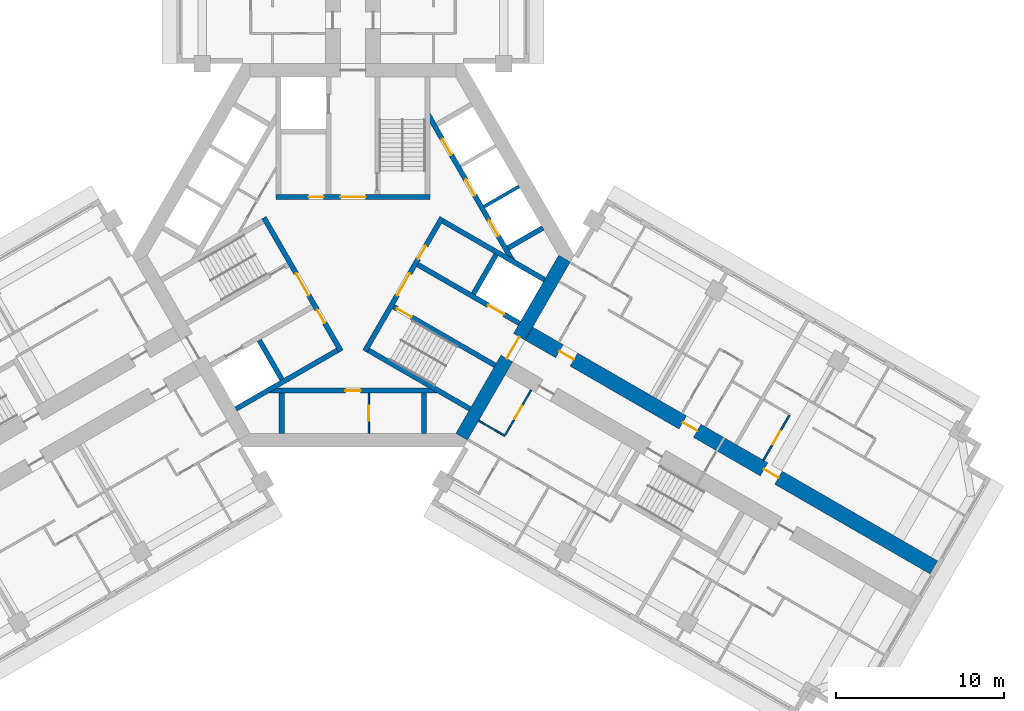
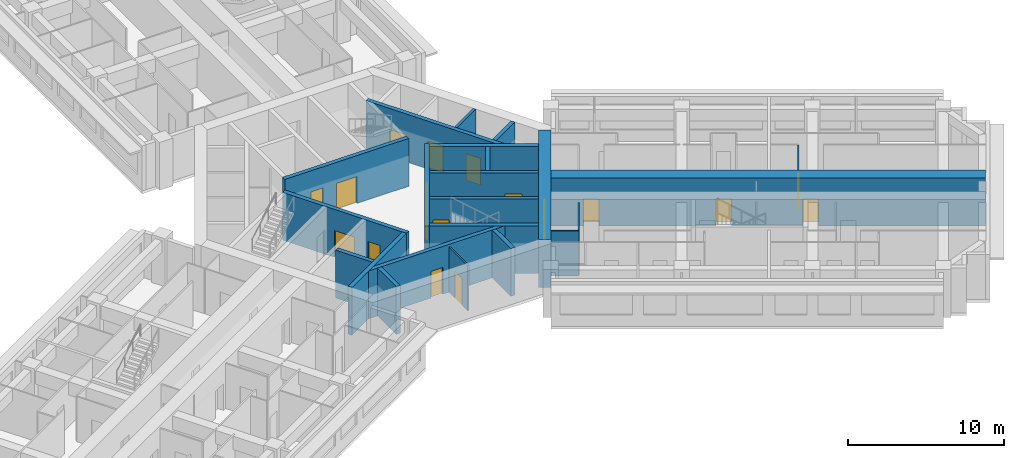
# One storey, part 6 of 12: 22 walls, 19 doors, 19 openings.
"""IFC4 building model written with IfcOpenShell, lengths in metres."""

import ifcopenshell
import ifcopenshell.guid

model = None  # the IFC model being written
_history = None  # IfcOwnerHistory: only IFC2X3 demands one
_inside = {}  # id of a spatial element -> (the spatial element, [elements in it])
_under = {}  # id of a project, library or spatial element -> (it, [spatial elements below it])
_declared = {}  # id of a project -> (the project, [libraries it declares])
_typed = {}  # id of a type object -> (the type object, [elements of that type])
_made_of = {}  # id of a material, layer set ... -> (it, [elements and type objects made of it])


def new_model(schema):
    """Start an empty IFC model of exactly this schema.

    Asked for "IFC4X3", IfcOpenShell would pick the latest addendum, in which some entities
    have other attributes; the version numbers below select the first issue.
    IFC2X3 requires an IfcOwnerHistory on every rooted entity: one is made here for all.
    """
    global model, _history
    if schema == "IFC4X3":
        model = ifcopenshell.file(schema_version=(4, 3, 0, 0))
    else:
        model = ifcopenshell.file(schema=schema)
    _inside.clear()
    _under.clear()
    _declared.clear()
    _typed.clear()
    _made_of.clear()
    _history = None
    if model.schema == "IFC2X3":
        org = make("IfcOrganization", Name="unknown")
        user = make(
            "IfcPersonAndOrganization",
            ThePerson=make("IfcPerson", FamilyName="unknown"),
            TheOrganization=org,
        )
        app = make(
            "IfcApplication",
            ApplicationDeveloper=org,
            Version="unknown",
            ApplicationFullName="unknown",
            ApplicationIdentifier="unknown",
        )
        _history = make(
            "IfcOwnerHistory",
            OwningUser=user,
            OwningApplication=app,
            ChangeAction="ADDED",
            CreationDate=0,
        )
    return model


def make(cls, **values):
    """One entity of the class cls with the attributes given. An attribute that is None is left unset."""
    return model.create_entity(
        cls, **{name: value for name, value in values.items() if value is not None}
    )


def rooted(cls, **values):
    """An entity with a GlobalId (a new one), such as an element, a storey or a relation."""
    return make(cls, GlobalId=ifcopenshell.guid.new(), OwnerHistory=_history, **values)


def si_unit(unit_type, name, prefix=None):
    """IfcSIUnit, for example si_unit("LENGTHUNIT", "METRE", prefix="MILLI")."""
    return make("IfcSIUnit", UnitType=unit_type, Prefix=prefix, Name=name)


def assignment(units):
    """IfcUnitAssignment: the units of a project."""
    return None if units is None else make("IfcUnitAssignment", Units=units)


def point(xyz):
    """IfcCartesianPoint."""
    return None if xyz is None else make("IfcCartesianPoint", Coordinates=xyz)


def direction(xyz):
    """IfcDirection."""
    return None if xyz is None else make("IfcDirection", DirectionRatios=xyz)


def frame(location, z_axis=None, x_axis=None):
    """IfcAxis2Placement3D, a coordinate frame: its origin and axes. An axis left out is left unset."""
    return make(
        "IfcAxis2Placement3D",
        Location=point(location),
        Axis=direction(z_axis),
        RefDirection=direction(x_axis),
    )


def frame_2d(location, x_axis=None):
    """IfcAxis2Placement2D, a coordinate frame in the plane: its origin and x axis."""
    return make(
        "IfcAxis2Placement2D", Location=point(location), RefDirection=direction(x_axis)
    )


def origin():
    """The frame at (0, 0, 0) with its axes left unset."""
    return frame((0.0, 0.0, 0.0))


def place(relative_to, where):
    """IfcLocalPlacement: puts the frame where relative to a parent placement (None: the world)."""
    return make(
        "IfcLocalPlacement", PlacementRelTo=relative_to, RelativePlacement=where
    )


def context(
    kind, dimensions, precision=None, world=None, true_north=None, identifier=None
):
    """IfcGeometricRepresentationContext, for example the 3D "Model" context."""
    return make(
        "IfcGeometricRepresentationContext",
        ContextIdentifier=identifier,
        ContextType=kind,
        CoordinateSpaceDimension=dimensions,
        Precision=precision,
        WorldCoordinateSystem=world,
        TrueNorth=true_north,
    )


def subcontext(parent, identifier, kind, view, scale=None):
    """IfcGeometricRepresentationSubContext, for example "Body" below "Model"."""
    return make(
        "IfcGeometricRepresentationSubContext",
        ContextIdentifier=identifier,
        ContextType=kind,
        ParentContext=parent,
        TargetScale=scale,
        TargetView=view,
    )


def project(units=None, contexts=None):
    """IfcProject with its units and contexts."""
    return rooted(
        "IfcProject",
        Name="project",
        RepresentationContexts=contexts,
        UnitsInContext=assignment(units),
    )


def spatial(cls, under=None, at=None, **own):
    """A site, building, storey or space (cls), placed at a placement, below another one or the project."""
    s = rooted(cls, ObjectPlacement=at, **own)
    if under is not None:
        _under.setdefault(under.id(), (under, []))[1].append(s)
    return s


def profile(cls, at=None, kind="AREA", **sizes):
    """A parametric profile (cls). Its sizes go by their IFC names, for example OverallWidth=200.0."""
    return make(cls, ProfileType=kind, Position=at, **sizes)


def rectangle(**sizes):
    """IfcRectangleProfileDef."""
    return profile("IfcRectangleProfileDef", **sizes)


def extrude(swept, where, along, depth):
    """IfcExtrudedAreaSolid: the profile swept, set in the frame where, extruded along a direction by depth."""
    return make(
        "IfcExtrudedAreaSolid",
        SweptArea=swept,
        Position=where,
        ExtrudedDirection=direction(along),
        Depth=depth,
    )


def shape(context_of_items, identifier, shape_type, items):
    """IfcShapeRepresentation: the items that make up one representation, for example the "Body"."""
    return make(
        "IfcShapeRepresentation",
        ContextOfItems=context_of_items,
        RepresentationIdentifier=identifier,
        RepresentationType=shape_type,
        Items=items,
    )


def material(Name=None, Category=None):
    """IfcMaterial."""
    return make("IfcMaterial", Name=Name, Category=Category)


def layer(
    of_material, thickness, ventilated=None, Name=None, Category=None, Priority=None
):
    """IfcMaterialLayer: one layer of a wall or slab, of a material (None: an air gap)."""
    return make(
        "IfcMaterialLayer",
        Material=of_material,
        LayerThickness=thickness,
        IsVentilated=ventilated,
        Name=Name,
        Category=Category,
        Priority=Priority,
    )


def layer_set(layers, Name=None):
    """IfcMaterialLayerSet."""
    return make("IfcMaterialLayerSet", MaterialLayers=layers, LayerSetName=Name)


def made_of(thing, what):
    """Note that an element or type object is made of a material, layer set ...; save() writes the relation."""
    if what is not None:
        _made_of.setdefault(what.id(), (what, []))[1].append(thing)
    return thing


def type_object(cls, material=None, **own):
    """A type object (cls), such as IfcWallType, which elements share."""
    return made_of(rooted(cls, **own), material)


def element(
    cls,
    number,
    at=None,
    inside=None,
    cuts=None,
    type_object=None,
    material=None,
    context=None,
    identifier="Body",
    shape_type=None,
    held_by="IfcProductDefinitionShape",
    body=None,
    shapes=None,
    **own,
):
    """One element of the class cls, such as IfcWall. Its Tag is "e" and its number.

    at: its placement. inside: the storey or other place that contains it. cuts: it is an
    opening in that element (IfcRelVoidsElement). A single representation is given by context,
    identifier, shape_type and body (its items); several are given by shapes. held_by: the class
    of the entity that holds the representations. save() writes the other relations.
    """
    e = rooted(cls, Tag="e%d" % number, ObjectPlacement=at, **own)
    if body is not None:
        shapes = [shape(context, identifier, shape_type, body)]
    if shapes is not None:
        e.Representation = make(held_by, Representations=shapes)
    if inside is not None:
        _inside.setdefault(inside.id(), (inside, []))[1].append(e)
    if cuts is not None:
        rooted(
            "IfcRelVoidsElement", RelatingBuildingElement=cuts, RelatedOpeningElement=e
        )
    if type_object is not None:
        _typed.setdefault(type_object.id(), (type_object, []))[1].append(e)
    return made_of(e, material)


def fill(opening, filler):
    """IfcRelFillsElement: the door or window that sits in an opening."""
    return rooted(
        "IfcRelFillsElement",
        RelatingOpeningElement=opening,
        RelatedBuildingElement=filler,
    )


def aggregate(whole, parts):
    """IfcRelAggregates: a whole, such as a stair, and the parts it consists of."""
    return rooted("IfcRelAggregates", RelatingObject=whole, RelatedObjects=parts)


def save(model, path):
    """Write the relations noted so far, then the file.

    IfcRelAggregates (storeys below a building ...), IfcRelContainedInSpatialStructure (elements
    in a storey), IfcRelDefinesByType, IfcRelAssociatesMaterial and IfcRelDeclares: one each for
    every whole, place, type object, material and project.
    """
    for whole, parts in _under.values():
        aggregate(whole, parts)
    for where, things in _inside.values():
        rooted(
            "IfcRelContainedInSpatialStructure",
            RelatedElements=things,
            RelatingStructure=where,
        )
    for kind, things in _typed.values():
        rooted("IfcRelDefinesByType", RelatedObjects=things, RelatingType=kind)
    for what, things in _made_of.values():
        rooted("IfcRelAssociatesMaterial", RelatedObjects=things, RelatingMaterial=what)
    for by, libraries in _declared.values():
        rooted("IfcRelDeclares", RelatingContext=by, RelatedDefinitions=libraries)
    model.write(path)


model = new_model("IFC4")

# Units and contexts
model_context = context("Model", 3, precision=1e-05, world=origin(), true_north=direction((0.0, 1.0)))
body_context = subcontext(model_context, "Body", "Model", "MODEL_VIEW")
ifc_project = project(units=[si_unit("LENGTHUNIT", "METRE"), si_unit("AREAUNIT", "SQUARE_METRE"), si_unit("VOLUMEUNIT", "CUBIC_METRE"), si_unit("PLANEANGLEUNIT", "RADIAN"), si_unit("MASSUNIT", "GRAM", prefix="KILO")], contexts=[model_context])

# Site, building, storey
site_placement = place(None, origin())
site = spatial("IfcSite", under=ifc_project, at=site_placement, CompositionType="ELEMENT")
building_placement = place(site_placement, origin())
building = spatial("IfcBuilding", under=site, at=building_placement, Name="Impinga Residences", CompositionType="ELEMENT")
storey_placement = place(building_placement, frame((0.0, 0.0, 169.75)))
storey = spatial("IfcBuildingStorey", under=building, at=storey_placement, Name="L42", CompositionType="ELEMENT", Elevation=169.75)

# Wall, openings, doors
ifc_material_1 = material(Name="Concrete C60/75", Category="concrete")
ifc_layer_1 = layer(ifc_material_1, 0.89990234375)
ifc_layer_set_1 = layer_set([ifc_layer_1], Name="Concrete C60/75")
wall_type_1 = type_object("IfcWallType", Name="BW2 corridor buttress wall, L24 to L44 900", PredefinedType="SHEAR", material=ifc_layer_set_1)
wall_1_placement = place(storey_placement, frame((10.153564453125, -4.4765625, 0.0), z_axis=(0.0, 0.0, 1.0), x_axis=(0.866027127636, -0.49999701419, 0.0)))
wall_1 = element("IfcWall", 1, at=wall_1_placement, inside=storey, type_object=wall_type_1, Name="Corridor wall BW2 EC L42", PredefinedType="SHEAR", context=body_context, shape_type="SweptSolid", body=[
    extrude(rectangle(XDim=28.300048828125, YDim=0.89990234375, at=frame_2d((14.14990234375, 0.0))), origin(), (0.0, 0.0, 1.0), 3.75),
])
opening_1_placement = place(wall_1_placement, frame((2.5, 0.0, 0.0)))
opening_1 = element("IfcOpeningElement", 2, at=opening_1_placement, cuts=wall_1, Name="Opening D1", PredefinedType="OPENING", context=body_context, shape_type="SweptSolid", body=[
    extrude(rectangle(XDim=1.0, YDim=2.10009765625, at=frame_2d((0.5, 1.050048828125))), frame((0.0, 0.4599609375, 0.0), z_axis=(0.0, -1.0, 0.0), x_axis=(1.0, 0.0, 0.0)), (0.0, 0.0, 1.0), 0.919921875),
])
opening_2_placement = place(wall_1_placement, frame((11.0, 0.0, 0.0)))
opening_2 = element("IfcOpeningElement", 3, at=opening_2_placement, cuts=wall_1, Name="Opening D1", PredefinedType="OPENING", context=body_context, shape_type="SweptSolid", body=[
    extrude(rectangle(XDim=1.0, YDim=2.10009765625, at=frame_2d((0.5, 1.050048828125))), frame((0.0, 0.4599609375, 0.0), z_axis=(0.0, -1.0, 0.0), x_axis=(1.0, 0.0, 0.0)), (0.0, 0.0, 1.0), 0.919921875),
])
opening_3_placement = place(wall_1_placement, frame((16.60009765625, 0.0, 0.0)))
opening_3 = element("IfcOpeningElement", 4, at=opening_3_placement, cuts=wall_1, Name="Opening D1", PredefinedType="OPENING", context=body_context, shape_type="SweptSolid", body=[
    extrude(rectangle(XDim=1.0, YDim=2.10009765625, at=frame_2d((0.5, 1.050048828125))), frame((0.0, 0.4599609375, 0.0), z_axis=(0.0, -1.0, 0.0), x_axis=(1.0, 0.0, 0.0)), (0.0, 0.0, 1.0), 0.919921875),
])
ifc_material_2 = material(Name="Timber door set", Category="wood")
door_type_1 = type_object("IfcDoorType", Name="D1 apartment entrance door 1000x2100", OperationType="SINGLE_SWING_LEFT", PredefinedType="DOOR", material=ifc_material_2)
door_1_placement = place(opening_1_placement, origin())
door_1 = element("IfcDoor", 5, at=door_1_placement, inside=storey, type_object=door_type_1, Name="Apartment L42-EA1 entrance", OperationType="SINGLE_SWING_LEFT", OverallHeight=2.10009765625, OverallWidth=1.0, PredefinedType="DOOR", context=body_context, shape_type="SweptSolid", body=[
    extrude(rectangle(XDim=1.0, YDim=2.10009765625, at=frame_2d((0.5, 1.050048828125))), frame((0.0, 0.02490234375, 0.0), z_axis=(0.0, -1.0, 0.0), x_axis=(1.0, 0.0, 0.0)), (0.0, 0.0, 1.0), 0.050048828125),
])
fill(opening_1, door_1)
door_2_placement = place(opening_2_placement, origin())
door_2 = element("IfcDoor", 6, at=door_2_placement, inside=storey, type_object=door_type_1, Name="Apartment L42-EA2 entrance", OperationType="SINGLE_SWING_LEFT", OverallHeight=2.10009765625, OverallWidth=1.0, PredefinedType="DOOR", context=body_context, shape_type="SweptSolid", body=[
    extrude(rectangle(XDim=1.0, YDim=2.10009765625, at=frame_2d((0.5, 1.050048828125))), frame((0.0, 0.02490234375, 0.0), z_axis=(0.0, -1.0, 0.0), x_axis=(1.0, 0.0, 0.0)), (0.0, 0.0, 1.0), 0.050048828125),
])
fill(opening_2, door_2)
door_3_placement = place(opening_3_placement, origin())
door_3 = element("IfcDoor", 7, at=door_3_placement, inside=storey, type_object=door_type_1, Name="Apartment L42-EA3 entrance", OperationType="SINGLE_SWING_RIGHT", OverallHeight=2.10009765625, OverallWidth=1.0, PredefinedType="DOOR", context=body_context, shape_type="SweptSolid", body=[
    extrude(rectangle(XDim=1.0, YDim=2.10009765625, at=frame_2d((0.5, 1.050048828125))), frame((0.0, 0.02490234375, 0.0), z_axis=(0.0, -1.0, 0.0), x_axis=(1.0, 0.0, 0.0)), (0.0, 0.0, 1.0), 0.050048828125),
])
fill(opening_3, door_3)

# Wall, opening, door
ifc_material_3 = material(Name="Concrete blockwork", Category="masonry")
ifc_layer_2 = layer(ifc_material_3, 0.10009765625)
ifc_layer_set_2 = layer_set([ifc_layer_2], Name="CP1 core room partition, blockwork 100")
wall_type_2 = type_object("IfcWallType", Name="CP1 core room partition, blockwork 100", PredefinedType="PARTITIONING", material=ifc_layer_set_2)
wall_2_placement = place(storey_placement, frame((0.949951171875, -8.2314453125, 0.0), z_axis=(0.0, 0.0, 1.0), x_axis=(0.0, -1.0, 0.0)))
wall_2 = element("IfcWall", 8, at=wall_2_placement, inside=storey, type_object=wall_type_2, Name="Core room partition, blockwork L42:CORE:low:ZP1", PredefinedType="PARTITIONING", context=body_context, shape_type="SweptSolid", body=[
    extrude(rectangle(XDim=2.400146484375, YDim=0.10009765625, at=frame_2d((1.2001953125, 0.0))), origin(), (0.0, 0.0, 1.0), 3.530029296875),
])
opening_4_placement = place(wall_2_placement, frame((0.75, 0.0, 0.0)))
opening_4 = element("IfcOpeningElement", 9, at=opening_4_placement, cuts=wall_2, Name="Opening D6", PredefinedType="OPENING", context=body_context, shape_type="SweptSolid", body=[
    extrude(rectangle(XDim=0.89990234375, YDim=2.10009765625, at=frame_2d((0.449951171875, 1.050048828125))), frame((0.0, 0.06005859375, 0.0), z_axis=(0.0, -1.0, 0.0), x_axis=(1.0, 0.0, 0.0)), (0.0, 0.0, 1.0), 0.1201171875),
])
door_type_2 = type_object("IfcDoorType", Name="D6 riser and store door 900x2100", OperationType="SINGLE_SWING_LEFT", PredefinedType="DOOR", material=ifc_material_2)
door_4_placement = place(opening_4_placement, origin())
door_4 = element("IfcDoor", 10, at=door_4_placement, inside=storey, type_object=door_type_2, Name="Staff WC door", OperationType="SINGLE_SWING_LEFT", OverallHeight=2.10009765625, OverallWidth=0.89990234375, PredefinedType="DOOR", context=body_context, shape_type="SweptSolid", body=[
    extrude(rectangle(XDim=0.89990234375, YDim=2.10009765625, at=frame_2d((0.449951171875, 1.050048828125))), frame((0.0, 0.02490234375, 0.0), z_axis=(0.0, -1.0, 0.0), x_axis=(1.0, 0.0, 0.0)), (0.0, 0.0, 1.0), 0.050048828125),
])
fill(opening_4, door_4)

ifc_material_4 = material(Name="Gypsum board on steel studs", Category="steel")
ifc_layer_3 = layer(ifc_material_4, 0.10009765625)
ifc_layer_set_3 = layer_set([ifc_layer_3], Name="Gypsum board on steel studs")
wall_type_3 = type_object("IfcWallType", Name="IP1 partition 100", PredefinedType="PARTITIONING", material=ifc_layer_set_3)
wall_3_placement = place(storey_placement, frame((24.494873046875, -12.23681640625, 0.0), z_axis=(0.0, 0.0, 1.0), x_axis=(0.500026960575, 0.86600983753, 0.0)))
wall_3 = element("IfcWall", 11, at=wall_3_placement, inside=storey, type_object=wall_type_3, Name="Partition L42-EA3:IB1", PredefinedType="PARTITIONING", context=body_context, shape_type="SweptSolid", body=[
    extrude(rectangle(XDim=3.099853515625, YDim=0.10009765625, at=frame_2d((1.5498046875, 0.0))), origin(), (0.0, 0.0, 1.0), 3.530029296875),
])
opening_5_placement = place(wall_3_placement, frame((1.10009765625, 0.0, 0.0)))
opening_5 = element("IfcOpeningElement", 12, at=opening_5_placement, cuts=wall_3, Name="Opening D2", PredefinedType="OPENING", context=body_context, shape_type="SweptSolid", body=[
    extrude(rectangle(XDim=0.89990234375, YDim=2.10009765625, at=frame_2d((0.449951171875, 1.050048828125))), frame((0.0, 0.06005859375, 0.0), z_axis=(0.0, -1.0, 0.0), x_axis=(1.0, 0.0, 0.0)), (0.0, 0.0, 1.0), 0.1201171875),
])
door_type_3 = type_object("IfcDoorType", Name="D2 internal door 900x2100", OperationType="SINGLE_SWING_LEFT", PredefinedType="DOOR", material=ifc_material_2)
door_5_placement = place(opening_5_placement, origin())
door_5 = element("IfcDoor", 13, at=door_5_placement, inside=storey, type_object=door_type_3, Name="Apartment L42-EA3 bathroom door", OperationType="SINGLE_SWING_LEFT", OverallHeight=2.10009765625, OverallWidth=0.89990234375, PredefinedType="DOOR", context=body_context, shape_type="SweptSolid", body=[
    extrude(rectangle(XDim=0.89990234375, YDim=2.10009765625, at=frame_2d((0.449951171875, 1.050048828125))), frame((0.0, 0.02490234375, 0.0), z_axis=(0.0, -1.0, 0.0), x_axis=(1.0, 0.0, 0.0)), (0.0, 0.0, 1.0), 0.050048828125),
])
fill(opening_5, door_5)

# Wall
wall_4_placement = place(storey_placement, frame((7.5, -9.872802734375, 0.0), z_axis=(0.0, 0.0, 1.0), x_axis=(0.866047807691, -0.499961193289, 0.0)))
element("IfcWall", 14, at=wall_4_placement, inside=storey, type_object=wall_type_3, Name="Partition L42-EF1:DIV0", PredefinedType="PARTITIONING", context=body_context, shape_type="SweptSolid", body=[
    extrude(rectangle(XDim=1.800048828125, YDim=0.10009765625, at=frame_2d((0.89990234375, 0.0))), origin(), (0.0, 0.0, 1.0), 3.530029296875),
])

# Wall, opening, door
wall_5_placement = place(storey_placement, frame((10.6337890625, -8.044677734375, 0.0), z_axis=(0.0, 0.0, 1.0), x_axis=(-0.49999285859, -0.86602952684, 0.0)))
wall_5 = element("IfcWall", 15, at=wall_5_placement, inside=storey, type_object=wall_type_3, Name="Partition L42-EF1:IB1", PredefinedType="PARTITIONING", context=body_context, shape_type="SweptSolid", body=[
    extrude(rectangle(XDim=3.10009765625, YDim=0.10009765625, at=frame_2d((1.550048828125, 0.0))), origin(), (0.0, 0.0, 1.0), 3.530029296875),
])
opening_6_placement = place(wall_5_placement, frame((1.10009765625, 0.0, 0.0)))
opening_6 = element("IfcOpeningElement", 16, at=opening_6_placement, cuts=wall_5, Name="Opening D2", PredefinedType="OPENING", context=body_context, shape_type="SweptSolid", body=[
    extrude(rectangle(XDim=0.89990234375, YDim=2.10009765625, at=frame_2d((0.449951171875, 1.050048828125))), frame((0.0, 0.06005859375, 0.0), z_axis=(0.0, -1.0, 0.0), x_axis=(1.0, 0.0, 0.0)), (0.0, 0.0, 1.0), 0.1201171875),
])
door_6_placement = place(opening_6_placement, origin())
door_6 = element("IfcDoor", 17, at=door_6_placement, inside=storey, type_object=door_type_3, Name="Apartment L42-EF1 bathroom door", OperationType="SINGLE_SWING_LEFT", OverallHeight=2.10009765625, OverallWidth=0.89990234375, PredefinedType="DOOR", context=body_context, shape_type="SweptSolid", body=[
    extrude(rectangle(XDim=0.89990234375, YDim=2.10009765625, at=frame_2d((0.449951171875, 1.050048828125))), frame((0.0, 0.02490234375, 0.0), z_axis=(0.0, -1.0, 0.0), x_axis=(1.0, 0.0, 0.0)), (0.0, 0.0, 1.0), 0.050048828125),
])
fill(opening_6, door_6)

ifc_layer_4 = layer(ifc_material_1, 0.800048828125)
ifc_layer_set_4 = layer_set([ifc_layer_4], Name="Concrete C60/75")
wall_type_4 = type_object("IfcWallType", Name="SW2 core wall 800", PredefinedType="SHEAR", material=ifc_layer_set_4)
wall_6_placement = place(storey_placement, frame((12.62255859375, -0.199951171875, 0.0), z_axis=(0.0, 0.0, 1.0), x_axis=(-0.499986991068, -0.866032914365, 0.0)))
wall_6 = element("IfcWall", 18, at=wall_6_placement, inside=storey, type_object=wall_type_4, Name="Core wall SW2 E:FACE L42", PredefinedType="SHEAR", context=body_context, shape_type="SweptSolid", body=[
    extrude(rectangle(XDim=12.276123046875, YDim=0.800048828125, at=frame_2d((6.13818359375, 0.0))), origin(), (0.0, 0.0, 1.0), 3.75),
])
opening_7_placement = place(wall_6_placement, frame((5.38818359375, 0.0, 0.0)))
opening_7 = element("IfcOpeningElement", 19, at=opening_7_placement, cuts=wall_6, Name="Opening D4", PredefinedType="OPENING", context=body_context, shape_type="SweptSolid", body=[
    extrude(rectangle(XDim=1.5, YDim=2.10009765625, at=frame_2d((0.75, 1.050048828125))), frame((0.0, 0.409912109375, 0.0), z_axis=(0.0, -1.0, 0.0), x_axis=(1.0, 0.0, 0.0)), (0.0, 0.0, 1.0), 0.820068359375),
])
door_type_4 = type_object("IfcDoorType", Name="D4 lobby door pair 1500x2100", OperationType="DOUBLE_DOOR_DOUBLE_SWING", PredefinedType="DOOR", material=ifc_material_2)
door_7_placement = place(opening_7_placement, origin())
door_7 = element("IfcDoor", 20, at=door_7_placement, inside=storey, type_object=door_type_4, Name="Lobby door E", OperationType="DOUBLE_DOOR_DOUBLE_SWING", OverallHeight=2.10009765625, OverallWidth=1.5, PredefinedType="DOOR", context=body_context, shape_type="SweptSolid", body=[
    extrude(rectangle(XDim=1.5, YDim=2.10009765625, at=frame_2d((0.75, 1.050048828125))), frame((0.0, 0.02490234375, 0.0), z_axis=(0.0, -1.0, 0.0), x_axis=(1.0, 0.0, 0.0)), (0.0, 0.0, 1.0), 0.050048828125),
])
fill(opening_7, door_7)

# Wall, openings, doors
ifc_material_5 = material(Name="Concrete C70/85", Category="concrete")
ifc_layer_5 = layer(ifc_material_5, 0.300048828125)
ifc_layer_set_5 = layer_set([ifc_layer_5], Name="Concrete C70/85")
wall_type_5 = type_object("IfcWallType", Name="SW5 core inner wall, stairs, shafts and lobbies 300", PredefinedType="SHEAR", material=ifc_layer_set_5)
wall_7_placement = place(storey_placement, frame((-4.60009765625, 3.47998046875, 0.0), z_axis=(0.0, 0.0, 1.0), x_axis=(1.0, 0.0, 0.0)))
wall_7 = element("IfcWall", 21, at=wall_7_placement, inside=storey, type_object=wall_type_5, Name="Core wall SW5 N:ZONE L42", PredefinedType="SHEAR", context=body_context, shape_type="SweptSolid", body=[
    extrude(rectangle(XDim=9.2001953125, YDim=0.300048828125, at=frame_2d((4.60009765625, 0.0))), origin(), (0.0, 0.0, 1.0), 3.75),
])
opening_8_placement = place(wall_7_placement, frame((3.85009765625, 0.0, 0.0)))
opening_8 = element("IfcOpeningElement", 22, at=opening_8_placement, cuts=wall_7, Name="Opening D4", PredefinedType="OPENING", context=body_context, shape_type="SweptSolid", body=[
    extrude(rectangle(XDim=1.5, YDim=2.10009765625, at=frame_2d((0.75, 1.050048828125))), frame((0.0, 0.159912109375, 0.0), z_axis=(0.0, -1.0, 0.0), x_axis=(1.0, 0.0, 0.0)), (0.0, 0.0, 1.0), 0.320068359375),
])
opening_9_placement = place(wall_7_placement, frame((1.949951171875, 0.0, 0.0)))
opening_9 = element("IfcOpeningElement", 23, at=opening_9_placement, cuts=wall_7, Name="Opening D6", PredefinedType="OPENING", context=body_context, shape_type="SweptSolid", body=[
    extrude(rectangle(XDim=0.89990234375, YDim=2.10009765625, at=frame_2d((0.449951171875, 1.050048828125))), frame((0.0, 0.159912109375, 0.0), z_axis=(0.0, -1.0, 0.0), x_axis=(1.0, 0.0, 0.0)), (0.0, 0.0, 1.0), 0.320068359375),
])
door_8_placement = place(opening_8_placement, origin())
door_8 = element("IfcDoor", 24, at=door_8_placement, inside=storey, type_object=door_type_4, Name="Firefighting lobby door N", OperationType="DOUBLE_DOOR_DOUBLE_SWING", OverallHeight=2.10009765625, OverallWidth=1.5, PredefinedType="DOOR", context=body_context, shape_type="SweptSolid", body=[
    extrude(rectangle(XDim=1.5, YDim=2.10009765625, at=frame_2d((0.75, 1.050048828125))), frame((0.0, 0.02490234375, 0.0), z_axis=(0.0, -1.0, 0.0), x_axis=(1.0, 0.0, 0.0)), (0.0, 0.0, 1.0), 0.050048828125),
])
fill(opening_8, door_8)
door_9_placement = place(opening_9_placement, origin())
door_9 = element("IfcDoor", 25, at=door_9_placement, inside=storey, type_object=door_type_2, Name="Riser door N", OperationType="SINGLE_SWING_LEFT", OverallHeight=2.10009765625, OverallWidth=0.89990234375, PredefinedType="DOOR", context=body_context, shape_type="SweptSolid", body=[
    extrude(rectangle(XDim=0.89990234375, YDim=2.10009765625, at=frame_2d((0.449951171875, 1.050048828125))), frame((0.0, 0.02490234375, 0.0), z_axis=(0.0, -1.0, 0.0), x_axis=(1.0, 0.0, 0.0)), (0.0, 0.0, 1.0), 0.050048828125),
])
fill(opening_9, door_9)

wall_8_placement = place(storey_placement, frame((-0.7138671875, -5.7236328125, 0.0), z_axis=(0.0, 0.0, 1.0), x_axis=(-0.499995050369, 0.866028261437, 0.0)))
wall_8 = element("IfcWall", 26, at=wall_8_placement, inside=storey, type_object=wall_type_5, Name="Core wall SW5 W:ZONE L42", PredefinedType="SHEAR", context=body_context, shape_type="SweptSolid", body=[
    extrude(rectangle(XDim=9.19970703125, YDim=0.300048828125, at=frame_2d((4.599853515625, 0.0))), origin(), (0.0, 0.0, 1.0), 3.75),
])
opening_10_placement = place(wall_8_placement, frame((3.85009765625, 0.0, 0.0)))
opening_10 = element("IfcOpeningElement", 27, at=opening_10_placement, cuts=wall_8, Name="Opening D4", PredefinedType="OPENING", context=body_context, shape_type="SweptSolid", body=[
    extrude(rectangle(XDim=1.5, YDim=2.10009765625, at=frame_2d((0.75, 1.050048828125))), frame((0.0, 0.159912109375, 0.0), z_axis=(0.0, -1.0, 0.0), x_axis=(1.0, 0.0, 0.0)), (0.0, 0.0, 1.0), 0.320068359375),
])
opening_11_placement = place(wall_8_placement, frame((1.949951171875, 0.0, 0.0)))
opening_11 = element("IfcOpeningElement", 28, at=opening_11_placement, cuts=wall_8, Name="Opening D6", PredefinedType="OPENING", context=body_context, shape_type="SweptSolid", body=[
    extrude(rectangle(XDim=0.89990234375, YDim=2.10009765625, at=frame_2d((0.449951171875, 1.050048828125))), frame((0.0, 0.159912109375, 0.0), z_axis=(0.0, -1.0, 0.0), x_axis=(1.0, 0.0, 0.0)), (0.0, 0.0, 1.0), 0.320068359375),
])
door_10_placement = place(opening_10_placement, origin())
door_10 = element("IfcDoor", 29, at=door_10_placement, inside=storey, type_object=door_type_4, Name="Firefighting lobby door W", OperationType="DOUBLE_DOOR_DOUBLE_SWING", OverallHeight=2.10009765625, OverallWidth=1.5, PredefinedType="DOOR", context=body_context, shape_type="SweptSolid", body=[
    extrude(rectangle(XDim=1.5, YDim=2.10009765625, at=frame_2d((0.75, 1.050048828125))), frame((0.0, 0.02490234375, 0.0), z_axis=(0.0, -1.0, 0.0), x_axis=(1.0, 0.0, 0.0)), (0.0, 0.0, 1.0), 0.050048828125),
])
fill(opening_10, door_10)
door_11_placement = place(opening_11_placement, origin())
door_11 = element("IfcDoor", 30, at=door_11_placement, inside=storey, type_object=door_type_2, Name="Riser door W", OperationType="SINGLE_SWING_LEFT", OverallHeight=2.10009765625, OverallWidth=0.89990234375, PredefinedType="DOOR", context=body_context, shape_type="SweptSolid", body=[
    extrude(rectangle(XDim=0.89990234375, YDim=2.10009765625, at=frame_2d((0.449951171875, 1.050048828125))), frame((0.0, 0.02490234375, 0.0), z_axis=(0.0, -1.0, 0.0), x_axis=(1.0, 0.0, 0.0)), (0.0, 0.0, 1.0), 0.050048828125),
])
fill(opening_11, door_11)

# Walls
wall_9_placement = place(storey_placement, frame((-0.918701171875, -5.668701171875, 0.0), z_axis=(0.0, 0.0, 1.0), x_axis=(-0.866011380966, -0.500024287448, 0.0)))
element("IfcWall", 31, at=wall_9_placement, inside=storey, type_object=wall_type_5, Name="Core wall SW5 W:FF-OUT L42", PredefinedType="SHEAR", context=body_context, shape_type="SweptSolid", body=[
    extrude(rectangle(XDim=7.001708984375, YDim=0.300048828125, at=frame_2d((3.5009765625, 0.0))), origin(), (0.0, 0.0, 1.0), 3.75),
])
wall_10_placement = place(storey_placement, frame((-4.2412109375, -7.413818359375, 0.0), z_axis=(0.0, 0.0, 1.0), x_axis=(-0.500048589285, 0.86599734893, 0.0)))
element("IfcWall", 32, at=wall_10_placement, inside=storey, type_object=wall_type_5, Name="Core wall SW5 W:FF-RS L42", PredefinedType="SHEAR", context=body_context, shape_type="SweptSolid", body=[
    extrude(rectangle(XDim=2.699951171875, YDim=0.300048828125, at=frame_2d((1.35009765625, 0.0))), origin(), (0.0, 0.0, 1.0), 3.75),
])

# Wall, openings, doors
wall_11_placement = place(storey_placement, frame((5.313720703125, 2.24365234375, 0.0), z_axis=(0.0, 0.0, 1.0), x_axis=(-0.499995050369, -0.866028261437, 0.0)))
wall_11 = element("IfcWall", 33, at=wall_11_placement, inside=storey, type_object=wall_type_5, Name="Core wall SW5 E:ZONE L42", PredefinedType="SHEAR", context=body_context, shape_type="SweptSolid", body=[
    extrude(rectangle(XDim=9.19970703125, YDim=0.300048828125, at=frame_2d((4.599853515625, 0.0))), origin(), (0.0, 0.0, 1.0), 3.75),
])
opening_12_placement = place(wall_11_placement, frame((3.85009765625, 0.0, 0.0)))
opening_12 = element("IfcOpeningElement", 34, at=opening_12_placement, cuts=wall_11, Name="Opening D4", PredefinedType="OPENING", context=body_context, shape_type="SweptSolid", body=[
    extrude(rectangle(XDim=1.5, YDim=2.10009765625, at=frame_2d((0.75, 1.050048828125))), frame((0.0, 0.159912109375, 0.0), z_axis=(0.0, -1.0, 0.0), x_axis=(1.0, 0.0, 0.0)), (0.0, 0.0, 1.0), 0.320068359375),
])
opening_13_placement = place(wall_11_placement, frame((1.949951171875, 0.0, 0.0)))
opening_13 = element("IfcOpeningElement", 35, at=opening_13_placement, cuts=wall_11, Name="Opening D6", PredefinedType="OPENING", context=body_context, shape_type="SweptSolid", body=[
    extrude(rectangle(XDim=0.89990234375, YDim=2.10009765625, at=frame_2d((0.449951171875, 1.050048828125))), frame((0.0, 0.159912109375, 0.0), z_axis=(0.0, -1.0, 0.0), x_axis=(1.0, 0.0, 0.0)), (0.0, 0.0, 1.0), 0.320068359375),
])
door_12_placement = place(opening_12_placement, origin())
door_12 = element("IfcDoor", 36, at=door_12_placement, inside=storey, type_object=door_type_4, Name="Firefighting lobby door E", OperationType="DOUBLE_DOOR_DOUBLE_SWING", OverallHeight=2.10009765625, OverallWidth=1.5, PredefinedType="DOOR", context=body_context, shape_type="SweptSolid", body=[
    extrude(rectangle(XDim=1.5, YDim=2.10009765625, at=frame_2d((0.75, 1.050048828125))), frame((0.0, 0.02490234375, 0.0), z_axis=(0.0, -1.0, 0.0), x_axis=(1.0, 0.0, 0.0)), (0.0, 0.0, 1.0), 0.050048828125),
])
fill(opening_12, door_12)
door_13_placement = place(opening_13_placement, origin())
door_13 = element("IfcDoor", 37, at=door_13_placement, inside=storey, type_object=door_type_2, Name="Riser door E", OperationType="SINGLE_SWING_LEFT", OverallHeight=2.10009765625, OverallWidth=0.89990234375, PredefinedType="DOOR", context=body_context, shape_type="SweptSolid", body=[
    extrude(rectangle(XDim=0.89990234375, YDim=2.10009765625, at=frame_2d((0.449951171875, 1.050048828125))), frame((0.0, 0.02490234375, 0.0), z_axis=(0.0, -1.0, 0.0), x_axis=(1.0, 0.0, 0.0)), (0.0, 0.0, 1.0), 0.050048828125),
])
fill(opening_13, door_13)

# Wall, opening, door
wall_12_placement = place(storey_placement, frame((2.418701171875, -3.07080078125, 0.0), z_axis=(0.0, 0.0, 1.0), x_axis=(0.866026480128, -0.499998135713, 0.0)))
wall_12 = element("IfcWall", 38, at=wall_12_placement, inside=storey, type_object=wall_type_5, Name="Core wall SW5 E:ST-IN L42", PredefinedType="SHEAR", context=body_context, shape_type="SweptSolid", body=[
    extrude(rectangle(XDim=7.00146484375, YDim=0.300048828125, at=frame_2d((3.500732421875, 0.0))), origin(), (0.0, 0.0, 1.0), 3.75),
])
opening_14_placement = place(wall_12_placement, frame((0.25, 0.0, 0.0)))
opening_14 = element("IfcOpeningElement", 39, at=opening_14_placement, cuts=wall_12, Name="Opening D5", PredefinedType="OPENING", context=body_context, shape_type="SweptSolid", body=[
    extrude(rectangle(XDim=1.0, YDim=2.10009765625, at=frame_2d((0.5, 1.050048828125))), frame((0.0, 0.159912109375, 0.0), z_axis=(0.0, -1.0, 0.0), x_axis=(1.0, 0.0, 0.0)), (0.0, 0.0, 1.0), 0.320068359375),
])
door_type_5 = type_object("IfcDoorType", Name="D5 stair door 1000x2100", OperationType="SINGLE_SWING_LEFT", PredefinedType="DOOR", material=ifc_material_2)
door_14_placement = place(opening_14_placement, origin())
door_14 = element("IfcDoor", 40, at=door_14_placement, inside=storey, type_object=door_type_5, Name="Stair door E", OperationType="SINGLE_SWING_LEFT", OverallHeight=2.10009765625, OverallWidth=1.0, PredefinedType="DOOR", context=body_context, shape_type="SweptSolid", body=[
    extrude(rectangle(XDim=1.0, YDim=2.10009765625, at=frame_2d((0.5, 1.050048828125))), frame((0.0, 0.02490234375, 0.0), z_axis=(0.0, -1.0, 0.0), x_axis=(1.0, 0.0, 0.0)), (0.0, 0.0, 1.0), 0.050048828125),
])
fill(opening_14, door_14)

# Wall
wall_13_placement = place(storey_placement, frame((0.918701171875, -5.668701171875, 0.0), z_axis=(0.0, 0.0, 1.0), x_axis=(0.866011380966, -0.500024287448, 0.0)))
element("IfcWall", 41, at=wall_13_placement, inside=storey, type_object=wall_type_5, Name="Core wall SW5 E:ST-OUT L42", PredefinedType="SHEAR", context=body_context, shape_type="SweptSolid", body=[
    extrude(rectangle(XDim=7.001708984375, YDim=0.300048828125, at=frame_2d((3.5009765625, 0.0))), origin(), (0.0, 0.0, 1.0), 3.75),
])

# Wall, opening, door
wall_14_placement = place(storey_placement, frame((3.86865234375, -0.559326171875, 0.0), z_axis=(0.0, 0.0, 1.0), x_axis=(0.866026480128, -0.499998135713, 0.0)))
wall_14 = element("IfcWall", 42, at=wall_14_placement, inside=storey, type_object=wall_type_5, Name="Core wall SW5 E:FF-IN L42", PredefinedType="SHEAR", context=body_context, shape_type="SweptSolid", body=[
    extrude(rectangle(XDim=7.00146484375, YDim=0.300048828125, at=frame_2d((3.500732421875, 0.0))), origin(), (0.0, 0.0, 1.0), 3.75),
])
opening_15_placement = place(wall_14_placement, frame((4.85009765625, 0.0, 0.0)))
opening_15 = element("IfcOpeningElement", 43, at=opening_15_placement, cuts=wall_14, Name="Opening LD2", PredefinedType="OPENING", context=body_context, shape_type="SweptSolid", body=[
    extrude(rectangle(XDim=1.10009765625, YDim=2.10009765625, at=frame_2d((0.550048828125, 1.050048828125))), frame((0.0, 0.159912109375, 0.0), z_axis=(0.0, -1.0, 0.0), x_axis=(1.0, 0.0, 0.0)), (0.0, 0.0, 1.0), 0.320068359375),
])
ifc_material_6 = material(Name="Steel lift landing door", Category="steel")
door_type_6 = type_object("IfcDoorType", Name="LD2 firefighting lift landing door 1100x2100", OperationType="DOUBLE_DOOR_SLIDING", PredefinedType="DOOR", material=ifc_material_6)
door_15_placement = place(opening_15_placement, origin())
door_15 = element("IfcDoor", 44, at=door_15_placement, inside=storey, type_object=door_type_6, Name="Firefighting lift landing door F3", OperationType="DOUBLE_DOOR_SLIDING", OverallHeight=2.10009765625, OverallWidth=1.10009765625, PredefinedType="DOOR", context=body_context, shape_type="SweptSolid", body=[
    extrude(rectangle(XDim=1.10009765625, YDim=2.10009765625, at=frame_2d((0.550048828125, 1.050048828125))), frame((0.0, 0.02490234375, 0.0), z_axis=(0.0, -1.0, 0.0), x_axis=(1.0, 0.0, 0.0)), (0.0, 0.0, 1.0), 0.050048828125),
])
fill(opening_15, door_15)

# Walls
wall_15_placement = place(storey_placement, frame((5.36865234375, 2.038818359375, 0.0), z_axis=(0.0, 0.0, 1.0), x_axis=(0.866026480128, -0.499998135713, 0.0)))
element("IfcWall", 45, at=wall_15_placement, inside=storey, type_object=wall_type_5, Name="Core wall SW5 E:FF-OUT L42", PredefinedType="SHEAR", context=body_context, shape_type="SweptSolid", body=[
    extrude(rectangle(XDim=7.00146484375, YDim=0.300048828125, at=frame_2d((3.500732421875, 0.0))), origin(), (0.0, 0.0, 1.0), 3.75),
])
wall_16_placement = place(storey_placement, frame((8.541259765625, 0.033935546875, 0.0), z_axis=(0.0, 0.0, 1.0), x_axis=(-0.50000943426, -0.866019956843, 0.0)))
element("IfcWall", 46, at=wall_16_placement, inside=storey, type_object=wall_type_5, Name="Core wall SW5 E:FF-RS L42", PredefinedType="SHEAR", context=body_context, shape_type="SweptSolid", body=[
    extrude(rectangle(XDim=2.7001953125, YDim=0.300048828125, at=frame_2d((1.35009765625, 0.0))), origin(), (0.0, 0.0, 1.0), 3.75),
])

# Wall, opening, door
wall_17_placement = place(storey_placement, frame((5.09765625, -8.08154296875, 0.0), z_axis=(0.0, 0.0, 1.0), x_axis=(-1.0, 0.0, 0.0)))
wall_17 = element("IfcWall", 47, at=wall_17_placement, inside=storey, type_object=wall_type_5, Name="Core wall SW5 N:BANK-FRONT L42", PredefinedType="SHEAR", context=body_context, shape_type="SweptSolid", body=[
    extrude(rectangle(XDim=10.1953125, YDim=0.300048828125, at=frame_2d((5.09765625, 0.0))), origin(), (0.0, 0.0, 1.0), 3.75),
])
opening_16_placement = place(wall_17_placement, frame((4.647705078125, 0.0, 0.0)))
opening_16 = element("IfcOpeningElement", 48, at=opening_16_placement, cuts=wall_17, Name="Opening D6", PredefinedType="OPENING", context=body_context, shape_type="SweptSolid", body=[
    extrude(rectangle(XDim=0.89990234375, YDim=2.10009765625, at=frame_2d((0.449951171875, 1.050048828125))), frame((0.0, 0.159912109375, 0.0), z_axis=(0.0, -1.0, 0.0), x_axis=(1.0, 0.0, 0.0)), (0.0, 0.0, 1.0), 0.320068359375),
])
door_16_placement = place(opening_16_placement, origin())
door_16 = element("IfcDoor", 49, at=door_16_placement, inside=storey, type_object=door_type_2, Name="Guest pantry door", OperationType="SINGLE_SWING_LEFT", OverallHeight=2.10009765625, OverallWidth=0.89990234375, PredefinedType="DOOR", context=body_context, shape_type="SweptSolid", body=[
    extrude(rectangle(XDim=0.89990234375, YDim=2.10009765625, at=frame_2d((0.449951171875, 1.050048828125))), frame((0.0, 0.02490234375, 0.0), z_axis=(0.0, -1.0, 0.0), x_axis=(1.0, 0.0, 0.0)), (0.0, 0.0, 1.0), 0.050048828125),
])
fill(opening_16, door_16)

# Walls
for number, where, z_axis, x_axis, name in (
    (50, (4.25, -8.2314453125, 0.0), (0.0, 0.0, 1.0), (0.0, -1.0, 0.0), "Core wall SW5 N:BANK-L L42"),
    (51, (-4.25, -8.2314453125, 0.0), (0.0, 0.0, 1.0), (0.0, -1.0, 0.0), "Core wall SW5 N:BANK-R L42"),
):
    element("IfcWall", number, at=place(storey_placement, frame(where, z_axis=z_axis, x_axis=x_axis)), inside=storey, type_object=wall_type_5, Name=name, PredefinedType="SHEAR", context=body_context, shape_type="SweptSolid", body=[
        extrude(rectangle(XDim=2.400146484375, YDim=0.300048828125, at=frame_2d((1.2001953125, 0.0))), origin(), (0.0, 0.0, 1.0), 3.75),
    ])

# Wall, openings, doors
wall_18_placement = place(storey_placement, frame((4.449951171875, 8.455322265625, 0.0), z_axis=(0.0, 0.0, 1.0), x_axis=(0.500002290144, -0.866024081565, 0.0)))
wall_18 = element("IfcWall", 52, at=wall_18_placement, inside=storey, type_object=wall_type_5, Name="Core wall SW5 W:BANK-FRONT L42", PredefinedType="SHEAR", context=body_context, shape_type="SweptSolid", body=[
    extrude(rectangle(XDim=10.1953125, YDim=0.300048828125, at=frame_2d((5.09765625, 0.0))), origin(), (0.0, 0.0, 1.0), 3.75),
])
opening_17_placement = place(wall_18_placement, frame((1.74755859375, 0.0, 0.0)))
opening_17 = element("IfcOpeningElement", 53, at=opening_17_placement, cuts=wall_18, Name="Opening LD1", PredefinedType="OPENING", context=body_context, shape_type="SweptSolid", body=[
    extrude(rectangle(XDim=1.10009765625, YDim=2.10009765625, at=frame_2d((0.550048828125, 1.050048828125))), frame((0.0, 0.159912109375, 0.0), z_axis=(0.0, -1.0, 0.0), x_axis=(1.0, 0.0, 0.0)), (0.0, 0.0, 1.0), 0.320068359375),
])
opening_18_placement = place(wall_18_placement, frame((4.547607421875, 0.0, 0.0)))
opening_18 = element("IfcOpeningElement", 54, at=opening_18_placement, cuts=wall_18, Name="Opening LD1", PredefinedType="OPENING", context=body_context, shape_type="SweptSolid", body=[
    extrude(rectangle(XDim=1.10009765625, YDim=2.10009765625, at=frame_2d((0.550048828125, 1.050048828125))), frame((0.0, 0.159912109375, 0.0), z_axis=(0.0, -1.0, 0.0), x_axis=(1.0, 0.0, 0.0)), (0.0, 0.0, 1.0), 0.320068359375),
])
opening_19_placement = place(wall_18_placement, frame((7.34765625, 0.0, 0.0)))
opening_19 = element("IfcOpeningElement", 55, at=opening_19_placement, cuts=wall_18, Name="Opening LD1", PredefinedType="OPENING", context=body_context, shape_type="SweptSolid", body=[
    extrude(rectangle(XDim=1.10009765625, YDim=2.10009765625, at=frame_2d((0.550048828125, 1.050048828125))), frame((0.0, 0.159912109375, 0.0), z_axis=(0.0, -1.0, 0.0), x_axis=(1.0, 0.0, 0.0)), (0.0, 0.0, 1.0), 0.320068359375),
])
door_type_7 = type_object("IfcDoorType", Name="LD1 passenger lift landing door 1100x2100", OperationType="DOUBLE_DOOR_SLIDING", PredefinedType="DOOR", material=ifc_material_6)
door_17_placement = place(opening_17_placement, origin())
door_17 = element("IfcDoor", 56, at=door_17_placement, inside=storey, type_object=door_type_7, Name="Lift landing door P4", OperationType="DOUBLE_DOOR_SLIDING", OverallHeight=2.10009765625, OverallWidth=1.10009765625, PredefinedType="DOOR", context=body_context, shape_type="SweptSolid", body=[
    extrude(rectangle(XDim=1.10009765625, YDim=2.10009765625, at=frame_2d((0.550048828125, 1.050048828125))), frame((0.0, 0.02490234375, 0.0), z_axis=(0.0, -1.0, 0.0), x_axis=(1.0, 0.0, 0.0)), (0.0, 0.0, 1.0), 0.050048828125),
])
fill(opening_17, door_17)
door_18_placement = place(opening_18_placement, origin())
door_18 = element("IfcDoor", 57, at=door_18_placement, inside=storey, type_object=door_type_7, Name="Lift landing door P5", OperationType="DOUBLE_DOOR_SLIDING", OverallHeight=2.10009765625, OverallWidth=1.10009765625, PredefinedType="DOOR", context=body_context, shape_type="SweptSolid", body=[
    extrude(rectangle(XDim=1.10009765625, YDim=2.10009765625, at=frame_2d((0.550048828125, 1.050048828125))), frame((0.0, 0.02490234375, 0.0), z_axis=(0.0, -1.0, 0.0), x_axis=(1.0, 0.0, 0.0)), (0.0, 0.0, 1.0), 0.050048828125),
])
fill(opening_18, door_18)
door_19_placement = place(opening_19_placement, origin())
door_19 = element("IfcDoor", 58, at=door_19_placement, inside=storey, type_object=door_type_7, Name="Lift landing door P6", OperationType="DOUBLE_DOOR_SLIDING", OverallHeight=2.10009765625, OverallWidth=1.10009765625, PredefinedType="DOOR", context=body_context, shape_type="SweptSolid", body=[
    extrude(rectangle(XDim=1.10009765625, YDim=2.10009765625, at=frame_2d((0.550048828125, 1.050048828125))), frame((0.0, 0.02490234375, 0.0), z_axis=(0.0, -1.0, 0.0), x_axis=(1.0, 0.0, 0.0)), (0.0, 0.0, 1.0), 0.050048828125),
])
fill(opening_19, door_19)

# Walls
wall_19_placement = place(storey_placement, frame((9.253662109375, 0.43505859375, 0.0), z_axis=(0.0, 0.0, 1.0), x_axis=(0.866006032174, 0.500033551112, 0.0)))
element("IfcWall", 59, at=wall_19_placement, inside=storey, type_object=wall_type_5, Name="Core wall SW5 W:BANK-R L42", PredefinedType="SHEAR", context=body_context, shape_type="SweptSolid", body=[
    extrude(rectangle(XDim=2.400146484375, YDim=0.300048828125, at=frame_2d((1.2001953125, 0.0))), origin(), (0.0, 0.0, 1.0), 3.75),
])
ifc_layer_6 = layer(ifc_material_5, 0.199951171875)
ifc_layer_set_6 = layer_set([ifc_layer_6], Name="Concrete C70/85")
wall_type_6 = type_object("IfcWallType", Name="SW6 lift shaft divider wall 200", PredefinedType="SHEAR", material=ifc_layer_set_6)
wall_20_placement = place(storey_placement, frame((7.82861328125, 2.9033203125, 0.0), z_axis=(0.0, 0.0, 1.0), x_axis=(0.866050077142, 0.499957262057, 0.0)))
element("IfcWall", 60, at=wall_20_placement, inside=storey, type_object=wall_type_6, Name="Core wall SW6 W:BANK-D2 L42", PredefinedType="SHEAR", context=body_context, shape_type="SweptSolid", body=[
    extrude(rectangle(XDim=2.400146484375, YDim=0.199951171875, at=frame_2d((1.2001953125, 0.0))), origin(), (0.0, 0.0, 1.0), 3.75),
])

save(model, "model.ifc")
